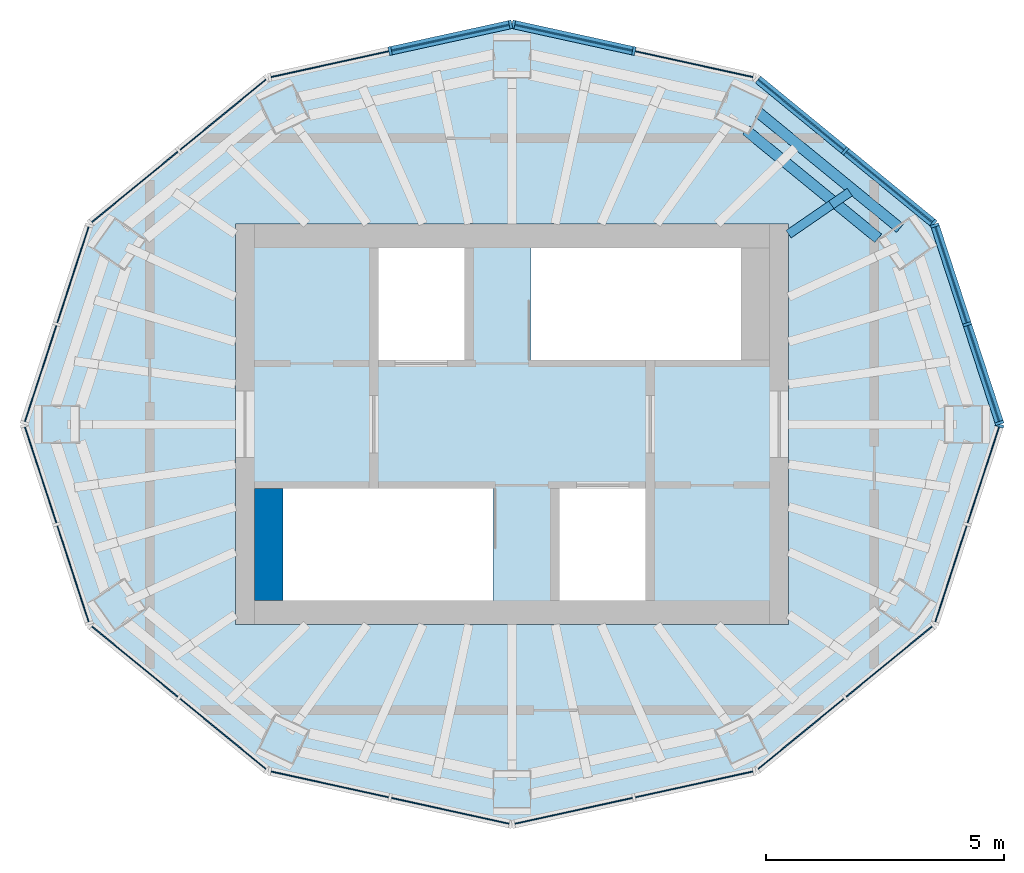
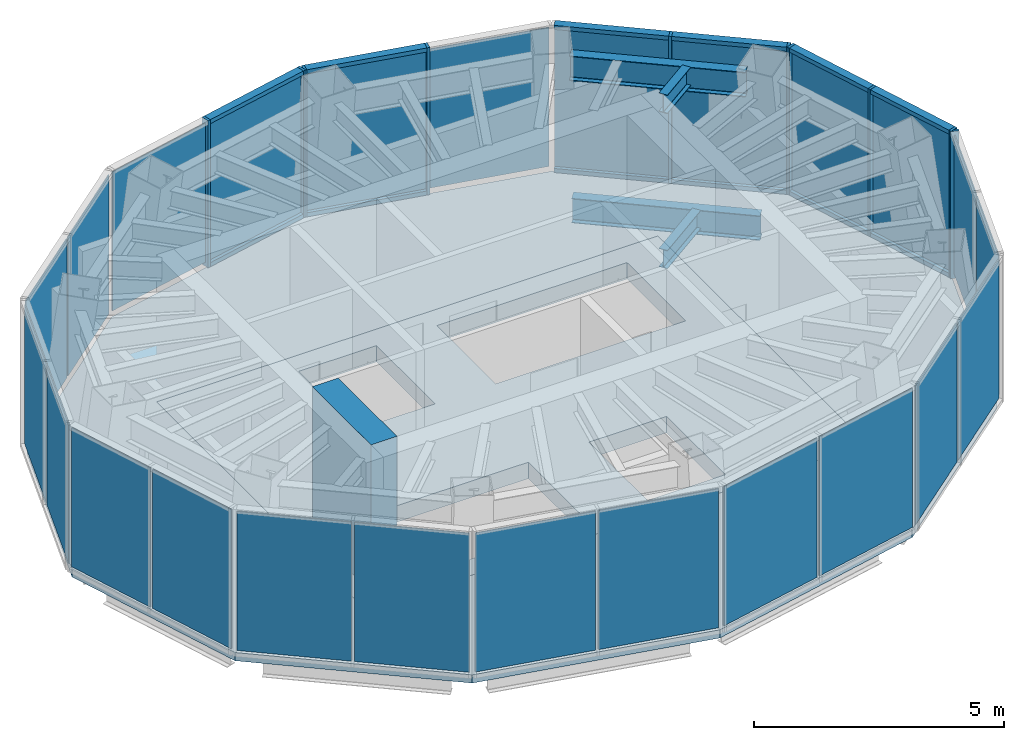
# One storey, part 4 of 6: 24 plates, 22 members, 4 beams, 2 slabs, 1 wall, 12 elements without a shape of their own.
"""IFC4 building model written with IfcOpenShell, lengths in metres."""

from ifc_helpers import new_model, si_unit, direction, frame, frame_2d, origin, origin_2d, place, context, subcontext, project, spatial, polyline, rectangle, i_section, outline, extrude, material, layer, layer_set, material_profile, profile_set, type_object, element, aggregate, save


model = new_model("IFC4")

# Units and contexts
model_context = context("Model", 3, precision=1e-05, world=origin(), true_north=direction((0.0, 1.0)))
body_context = subcontext(model_context, "Body", "Model", "MODEL_VIEW")
ifc_project = project(units=[si_unit("LENGTHUNIT", "METRE"), si_unit("AREAUNIT", "SQUARE_METRE"), si_unit("VOLUMEUNIT", "CUBIC_METRE"), si_unit("PLANEANGLEUNIT", "RADIAN"), si_unit("MASSUNIT", "GRAM", prefix="KILO")], contexts=[model_context])

# Site, building, storey
site_placement = place(None, origin())
site = spatial("IfcSite", under=ifc_project, at=site_placement, CompositionType="ELEMENT")
building_placement = place(site_placement, origin())
building = spatial("IfcBuilding", under=site, at=building_placement, Name="Siaravel Broadcast Tower", CompositionType="ELEMENT")
storey_placement = place(building_placement, frame((0.0, 0.0, 292.10009765625)))
storey = spatial("IfcBuildingStorey", under=building, at=storey_placement, Name="L71", CompositionType="ELEMENT", Elevation=292.10009765625)

# Curtain wall, members
ifc_material_1 = material(Name="Aluminium 6063-T6", Category="aluminium")
ifc_layer_1 = layer(ifc_material_1, 0.179931640625)
ifc_layer_set_1 = layer_set([ifc_layer_1], Name="Aluminium 6063-T6")
curtain_wall_type = type_object("IfcCurtainWallType", Name="Crown glass facet wall", PredefinedType="NOTDEFINED", material=ifc_layer_set_1)
curtain_wall_1_placement = place(storey_placement, origin())
curtain_wall_1 = element("IfcCurtainWall", 1, at=curtain_wall_1_placement, inside=storey, type_object=curtain_wall_type, Name="L71 Crown glass facet wall 01", PredefinedType="NOTDEFINED")
ifc_material_profile_1 = material_profile(ifc_material_1, rectangle(XDim=0.179931640625, YDim=0.06005859375, at=origin_2d()))
ifc_profile_set_1 = profile_set([ifc_material_profile_1], Name="Aluminium 6063-T6")
member_type_1 = type_object("IfcMemberType", Name="CW-CR mullion", PredefinedType="MULLION", material=ifc_profile_set_1)
member_1_placement = place(storey_placement, frame((10.222412109375, 0.028564453125, 0.0), z_axis=(0.0, 0.0, 1.0), x_axis=(-0.950459599, -0.310848114, 0.0)))
member_1 = element("IfcMember", 2, at=member_1_placement, type_object=member_type_1, Name="CW-CR mullion 1", PredefinedType="MULLION", context=body_context, shape_type="SweptSolid", body=[
    extrude(rectangle(XDim=0.179931640625, YDim=0.06005859375, at=origin_2d()), origin(), (0.0, 0.0, 1.0), 3.599853515625),
])
member_2_placement = place(storey_placement, frame((9.545166015625, 2.099365234375, 0.0), z_axis=(0.0, 0.0, 1.0), x_axis=(-0.950459599, -0.310848114, 0.0)))
member_2 = element("IfcMember", 3, at=member_2_placement, type_object=member_type_1, Name="CW-CR mullion 2", PredefinedType="MULLION", context=body_context, shape_type="SweptSolid", body=[
    extrude(rectangle(XDim=0.179931640625, YDim=0.06005859375, at=origin_2d()), origin(), (0.0, 0.0, 1.0), 3.599853515625),
])
member_3_placement = place(storey_placement, frame((8.867919921875, 4.17041015625, 0.0), z_axis=(0.0, 0.0, 1.0), x_axis=(-0.950459599, -0.310848114, 0.0)))
member_3 = element("IfcMember", 4, at=member_3_placement, type_object=member_type_1, Name="CW-CR mullion 3", PredefinedType="MULLION", context=body_context, shape_type="SweptSolid", body=[
    extrude(rectangle(XDim=0.179931640625, YDim=0.06005859375, at=origin_2d()), origin(), (0.0, 0.0, 1.0), 3.599853515625),
])

curtain_wall_2_placement = place(storey_placement, origin())
curtain_wall_2 = element("IfcCurtainWall", 5, at=curtain_wall_2_placement, inside=storey, type_object=curtain_wall_type, Name="L71 Crown glass facet wall 02", PredefinedType="NOTDEFINED")
member_4_placement = place(storey_placement, frame((8.835205078125, 4.2177734375, 0.0), z_axis=(0.0, 0.0, 1.0), x_axis=(-0.633723768, -0.773559427, 0.0)))
member_4 = element("IfcMember", 6, at=member_4_placement, type_object=member_type_1, Name="CW-CR mullion 1", PredefinedType="MULLION", context=body_context, shape_type="SweptSolid", body=[
    extrude(rectangle(XDim=0.179931640625, YDim=0.06005859375, at=origin_2d()), origin(), (0.0, 0.0, 1.0), 3.599853515625),
])
member_5_placement = place(storey_placement, frame((6.9853515625, 5.7333984375, 0.0), z_axis=(0.0, 0.0, 1.0), x_axis=(-0.633723768, -0.773559427, 0.0)))
member_5 = element("IfcMember", 7, at=member_5_placement, type_object=member_type_1, Name="CW-CR mullion 2", PredefinedType="MULLION", context=body_context, shape_type="SweptSolid", body=[
    extrude(rectangle(XDim=0.179931640625, YDim=0.06005859375, at=origin_2d()), origin(), (0.0, 0.0, 1.0), 3.599853515625),
])

curtain_wall_3_placement = place(storey_placement, origin())
curtain_wall_3 = element("IfcCurtainWall", 8, at=curtain_wall_3_placement, inside=storey, type_object=curtain_wall_type, Name="L71 Crown glass facet wall 03", PredefinedType="NOTDEFINED")
member_6_placement = place(storey_placement, frame((2.55615234375, 7.828857421875, 0.0), z_axis=(0.0, 0.0, 1.0), x_axis=(-0.214398525, -0.976746268, 0.0)))
member_6 = element("IfcMember", 9, at=member_6_placement, type_object=member_type_1, Name="CW-CR mullion 2", PredefinedType="MULLION", context=body_context, shape_type="SweptSolid", body=[
    extrude(rectangle(XDim=0.179931640625, YDim=0.06005859375, at=origin_2d()), origin(), (0.0, 0.0, 1.0), 3.599853515625),
])
member_7_placement = place(storey_placement, frame((0.029296875, 8.383544921875, 0.0), z_axis=(0.0, 0.0, 1.0), x_axis=(-0.214398525, -0.976746268, 0.0)))
member_7 = element("IfcMember", 10, at=member_7_placement, type_object=member_type_1, Name="CW-CR mullion 3", PredefinedType="MULLION", context=body_context, shape_type="SweptSolid", body=[
    extrude(rectangle(XDim=0.179931640625, YDim=0.06005859375, at=origin_2d()), origin(), (0.0, 0.0, 1.0), 3.599853515625),
])

curtain_wall_4_placement = place(storey_placement, origin())
curtain_wall_4 = element("IfcCurtainWall", 11, at=curtain_wall_4_placement, inside=storey, type_object=curtain_wall_type, Name="L71 Crown glass facet wall 04", PredefinedType="NOTDEFINED")
member_8_placement = place(storey_placement, frame((-0.029296875, 8.383544921875, 0.0), z_axis=(0.0, 0.0, 1.0), x_axis=(0.214398525, -0.976746268, 0.0)))
member_8 = element("IfcMember", 12, at=member_8_placement, type_object=member_type_1, Name="CW-CR mullion 1", PredefinedType="MULLION", context=body_context, shape_type="SweptSolid", body=[
    extrude(rectangle(XDim=0.179931640625, YDim=0.06005859375, at=origin_2d()), origin(), (0.0, 0.0, 1.0), 3.599853515625),
])
member_9_placement = place(storey_placement, frame((-2.55615234375, 7.828857421875, 0.0), z_axis=(0.0, 0.0, 1.0), x_axis=(0.214398525, -0.976746268, 0.0)))
member_9 = element("IfcMember", 13, at=member_9_placement, type_object=member_type_1, Name="CW-CR mullion 2", PredefinedType="MULLION", context=body_context, shape_type="SweptSolid", body=[
    extrude(rectangle(XDim=0.179931640625, YDim=0.06005859375, at=origin_2d()), origin(), (0.0, 0.0, 1.0), 3.599853515625),
])

# Curtain wall, member
curtain_wall_5_placement = place(storey_placement, origin())
curtain_wall_5 = element("IfcCurtainWall", 14, at=curtain_wall_5_placement, inside=storey, type_object=curtain_wall_type, Name="L71 Crown glass facet wall 12", PredefinedType="NOTDEFINED")
member_10_placement = place(storey_placement, frame((10.222412109375, -0.028564453125, 0.0), z_axis=(0.0, 0.0, 1.0), x_axis=(-0.950459599, 0.310848114, 0.0)))
member_10 = element("IfcMember", 15, at=member_10_placement, type_object=member_type_1, Name="CW-CR mullion 3", PredefinedType="MULLION", context=body_context, shape_type="SweptSolid", body=[
    extrude(rectangle(XDim=0.179931640625, YDim=0.06005859375, at=origin_2d()), origin(), (0.0, 0.0, 1.0), 3.599853515625),
])

# Member
ifc_material_profile_2 = material_profile(ifc_material_1, rectangle(XDim=0.179931640625, YDim=0.10009765625, at=origin_2d()))
ifc_profile_set_2 = profile_set([ifc_material_profile_2], Name="Aluminium 6063-T6")
member_type_2 = type_object("IfcMemberType", Name="CW-CR transom", PredefinedType="USERDEFINED", material=ifc_profile_set_2)
member_11_placement = place(storey_placement, frame((10.212890625, 0.056884765625, 0.0498046875), z_axis=(-0.310760877, 0.950488126, 0.0), x_axis=(-0.950488126, -0.310760877, 0.0)))
member_11 = element("IfcMember", 16, at=member_11_placement, type_object=member_type_2, Name="CW-CR transom 1", ObjectType="TRANSOM", PredefinedType="USERDEFINED", context=body_context, shape_type="SweptSolid", body=[
    extrude(rectangle(XDim=0.179931640625, YDim=0.10009765625, at=origin_2d()), origin(), (0.0, 0.0, 1.0), 2.118896484375),
])

member_12_placement = place(storey_placement, frame((10.212890625, 0.056884765625, 3.5498046875), z_axis=(-0.310760877, 0.950488126, 0.0), x_axis=(-0.950488126, -0.310760877, 0.0)))
member_12 = element("IfcMember", 17, at=member_12_placement, type_object=member_type_2, Name="CW-CR transom 1", ObjectType="TRANSOM", PredefinedType="USERDEFINED", context=body_context, shape_type="SweptSolid", body=[
    extrude(rectangle(XDim=0.179931640625, YDim=0.10009765625, at=origin_2d()), origin(), (0.0, 0.0, 1.0), 2.118896484375),
])

member_13_placement = place(storey_placement, frame((9.535888671875, 2.1279296875, 0.0498046875), z_axis=(-0.310864969, 0.950454087, 0.0), x_axis=(-0.950454087, -0.310864969, 0.0)))
member_13 = element("IfcMember", 18, at=member_13_placement, type_object=member_type_2, Name="CW-CR transom 2", ObjectType="TRANSOM", PredefinedType="USERDEFINED", context=body_context, shape_type="SweptSolid", body=[
    extrude(rectangle(XDim=0.179931640625, YDim=0.10009765625, at=origin_2d()), origin(), (0.0, 0.0, 1.0), 2.118896484375),
])

member_14_placement = place(storey_placement, frame((9.535888671875, 2.1279296875, 3.5498046875), z_axis=(-0.310864969, 0.950454087, 0.0), x_axis=(-0.950454087, -0.310864969, 0.0)))
member_14 = element("IfcMember", 19, at=member_14_placement, type_object=member_type_2, Name="CW-CR transom 2", ObjectType="TRANSOM", PredefinedType="USERDEFINED", context=body_context, shape_type="SweptSolid", body=[
    extrude(rectangle(XDim=0.179931640625, YDim=0.10009765625, at=origin_2d()), origin(), (0.0, 0.0, 1.0), 2.118896484375),
])

member_15_placement = place(storey_placement, frame((8.81201171875, 4.23681640625, 0.0498046875), z_axis=(-0.773541895, 0.633745167, 0.0), x_axis=(-0.633745167, -0.773541895, 0.0)))
member_15 = element("IfcMember", 20, at=member_15_placement, type_object=member_type_2, Name="CW-CR transom 1", ObjectType="TRANSOM", PredefinedType="USERDEFINED", context=body_context, shape_type="SweptSolid", body=[
    extrude(rectangle(XDim=0.179931640625, YDim=0.10009765625, at=origin_2d()), origin(), (0.0, 0.0, 1.0), 2.33154296875),
])

member_16_placement = place(storey_placement, frame((8.81201171875, 4.23681640625, 3.5498046875), z_axis=(-0.773541895, 0.633745167, 0.0), x_axis=(-0.633745167, -0.773541895, 0.0)))
member_16 = element("IfcMember", 21, at=member_16_placement, type_object=member_type_2, Name="CW-CR transom 1", ObjectType="TRANSOM", PredefinedType="USERDEFINED", context=body_context, shape_type="SweptSolid", body=[
    extrude(rectangle(XDim=0.179931640625, YDim=0.10009765625, at=origin_2d()), origin(), (0.0, 0.0, 1.0), 2.33154296875),
])

member_17_placement = place(storey_placement, frame((6.962158203125, 5.752197265625, 0.0498046875), z_axis=(-0.773541895, 0.633745167, 0.0), x_axis=(-0.633745167, -0.773541895, 0.0)))
member_17 = element("IfcMember", 22, at=member_17_placement, type_object=member_type_2, Name="CW-CR transom 2", ObjectType="TRANSOM", PredefinedType="USERDEFINED", context=body_context, shape_type="SweptSolid", body=[
    extrude(rectangle(XDim=0.179931640625, YDim=0.10009765625, at=origin_2d()), origin(), (0.0, 0.0, 1.0), 2.33154296875),
])

member_18_placement = place(storey_placement, frame((6.962158203125, 5.752197265625, 3.5498046875), z_axis=(-0.773541895, 0.633745167, 0.0), x_axis=(-0.633745167, -0.773541895, 0.0)))
member_18 = element("IfcMember", 23, at=member_18_placement, type_object=member_type_2, Name="CW-CR transom 2", ObjectType="TRANSOM", PredefinedType="USERDEFINED", context=body_context, shape_type="SweptSolid", body=[
    extrude(rectangle(XDim=0.179931640625, YDim=0.10009765625, at=origin_2d()), origin(), (0.0, 0.0, 1.0), 2.33154296875),
])

member_19_placement = place(storey_placement, frame((2.52685546875, 7.83544921875, 0.0498046875), z_axis=(-0.976749771, 0.214382566, 0.0), x_axis=(-0.214382566, -0.976749771, 0.0)))
member_19 = element("IfcMember", 24, at=member_19_placement, type_object=member_type_2, Name="CW-CR transom 2", ObjectType="TRANSOM", PredefinedType="USERDEFINED", context=body_context, shape_type="SweptSolid", body=[
    extrude(rectangle(XDim=0.179931640625, YDim=0.10009765625, at=origin_2d()), origin(), (0.0, 0.0, 1.0), 2.527099609375),
])

member_20_placement = place(storey_placement, frame((2.52685546875, 7.83544921875, 3.5498046875), z_axis=(-0.976749771, 0.214382566, 0.0), x_axis=(-0.214382566, -0.976749771, 0.0)))
member_20 = element("IfcMember", 25, at=member_20_placement, type_object=member_type_2, Name="CW-CR transom 2", ObjectType="TRANSOM", PredefinedType="USERDEFINED", context=body_context, shape_type="SweptSolid", body=[
    extrude(rectangle(XDim=0.179931640625, YDim=0.10009765625, at=origin_2d()), origin(), (0.0, 0.0, 1.0), 2.527099609375),
])

member_21_placement = place(storey_placement, frame((-0.05859375, 8.377197265625, 0.0498046875), z_axis=(-0.976749771, -0.214382566, 0.0), x_axis=(0.214382566, -0.976749771, 0.0)))
member_21 = element("IfcMember", 26, at=member_21_placement, type_object=member_type_2, Name="CW-CR transom 1", ObjectType="TRANSOM", PredefinedType="USERDEFINED", context=body_context, shape_type="SweptSolid", body=[
    extrude(rectangle(XDim=0.179931640625, YDim=0.10009765625, at=origin_2d()), origin(), (0.0, 0.0, 1.0), 2.527099609375),
])

member_22_placement = place(storey_placement, frame((-0.05859375, 8.377197265625, 3.5498046875), z_axis=(-0.976749771, -0.214382566, 0.0), x_axis=(0.214382566, -0.976749771, 0.0)))
member_22 = element("IfcMember", 27, at=member_22_placement, type_object=member_type_2, Name="CW-CR transom 1", ObjectType="TRANSOM", PredefinedType="USERDEFINED", context=body_context, shape_type="SweptSolid", body=[
    extrude(rectangle(XDim=0.179931640625, YDim=0.10009765625, at=origin_2d()), origin(), (0.0, 0.0, 1.0), 2.527099609375),
])

# Beams
ifc_material_2 = material(Name="Steel S355", Category="steel")
ifc_material_profile_3 = material_profile(ifc_material_2, i_section(OverallWidth=0.18994140625, OverallDepth=0.453369140625, WebThickness=0.008544921875, FlangeThickness=0.0126953125, FilletRadius=0.01025390625, at=origin_2d()))
ifc_profile_set_3 = profile_set([ifc_material_profile_3], Name="Steel S355")
beam_type_1 = type_object("IfcBeamType", Name="Crown radial beam UB 457x191x67", PredefinedType="BEAM", material=ifc_profile_set_3)
beam_1_placement = place(storey_placement, frame((7.0830078125, 4.8681640625, -0.4267578125), z_axis=(-0.824101404, -0.566442297, 0.0), x_axis=(0.566442297, -0.824101404, 0.0)))
element("IfcBeam", 28, at=beam_1_placement, inside=storey, type_object=beam_type_1, Name="Crown radial beam 6-05", PredefinedType="BEAM", context=body_context, shape_type="SweptSolid", body=[
    extrude(i_section(OverallWidth=0.18994140625, OverallDepth=0.453369140625, WebThickness=0.008544921875, FlangeThickness=0.0126953125, FilletRadius=0.01025390625, at=origin_2d()), origin(), (0.0, 0.0, 1.0), 1.556884765625),
])
beam_2_placement = place(storey_placement, frame((6.6953125, 4.601806640625, 3.373291015625), z_axis=(-0.824153388, -0.566366659, 0.0), x_axis=(0.566366659, -0.824153388, 0.0)))
element("IfcBeam", 29, at=beam_2_placement, inside=storey, type_object=beam_type_1, Name="Crown radial beam 7-05", PredefinedType="BEAM", context=body_context, shape_type="SweptSolid", body=[
    extrude(i_section(OverallWidth=0.18994140625, OverallDepth=0.453369140625, WebThickness=0.008544921875, FlangeThickness=0.0126953125, FilletRadius=0.01025390625, at=origin_2d()), origin(), (0.0, 0.0, 1.0), 1.086181640625),
])
ifc_material_profile_4 = material_profile(ifc_material_2, i_section(OverallWidth=0.2275390625, OverallDepth=0.6025390625, WebThickness=0.010498046875, FlangeThickness=0.014892578125, FilletRadius=0.0126953125, at=origin_2d()))
ifc_profile_set_4 = profile_set([ifc_material_profile_4], Name="Steel S355")
beam_type_2 = type_object("IfcBeamType", Name="Crown ring beam UB 610x229x101", PredefinedType="SPANDREL", material=ifc_profile_set_4)
beam_3_placement = place(storey_placement, frame((8.135986328125, 4.111083984375, -0.50146484375), z_axis=(-0.774119321, 0.633039712, 0.0), x_axis=(-0.633039712, -0.774119321, 0.0)))
element("IfcBeam", 30, at=beam_3_placement, inside=storey, type_object=beam_type_2, Name="Crown ring beam 6-02", PredefinedType="SPANDREL", context=body_context, shape_type="SweptSolid", body=[
    extrude(i_section(OverallWidth=0.2275390625, OverallDepth=0.6025390625, WebThickness=0.010498046875, FlangeThickness=0.014892578125, FilletRadius=0.0126953125, at=origin_2d()), origin(), (0.0, 0.0, 1.0), 3.826171875),
])
beam_4_placement = place(storey_placement, frame((7.6796875, 3.90087890625, 3.298583984375), z_axis=(-0.77411532, 0.633044604, 0.0), x_axis=(-0.633044604, -0.77411532, 0.0)))
element("IfcBeam", 31, at=beam_4_placement, inside=storey, type_object=beam_type_2, Name="Crown ring beam 7-02", PredefinedType="SPANDREL", context=body_context, shape_type="SweptSolid", body=[
    extrude(i_section(OverallWidth=0.2275390625, OverallDepth=0.6025390625, WebThickness=0.010498046875, FlangeThickness=0.014892578125, FilletRadius=0.0126953125, at=origin_2d()), origin(), (0.0, 0.0, 1.0), 3.578857421875),
])

# Plate
ifc_material_3 = material(Name="Low-iron laminated glass", Category="glass")
ifc_layer_2 = layer(ifc_material_3, 0.02392578125)
ifc_layer_set_2 = layer_set([ifc_layer_2], Name="Low-iron laminated glass")
plate_type = type_object("IfcPlateType", Name="CW-CR glass panel", PredefinedType="CURTAIN_PANEL", material=ifc_layer_set_2)
plate_1_placement = place(storey_placement, frame((9.8837890625, 1.06396484375, 0.099853515625), z_axis=(0.0, 0.0, 1.0), x_axis=(-0.310848114, 0.950459599, 0.0)))
plate_1 = element("IfcPlate", 32, at=plate_1_placement, type_object=plate_type, Name="CW-CR glass panel", PredefinedType="CURTAIN_PANEL", context=body_context, shape_type="SweptSolid", body=[
    extrude(rectangle(XDim=2.118896484375, YDim=0.02392578125, at=origin_2d()), origin(), (0.0, 0.0, 1.0), 3.39990234375),
])

plate_2_placement = place(storey_placement, frame((9.206298828125, 3.134765625, 0.099853515625), z_axis=(0.0, 0.0, 1.0), x_axis=(-0.310848114, 0.950459599, 0.0)))
plate_2 = element("IfcPlate", 33, at=plate_2_placement, type_object=plate_type, Name="CW-CR glass panel", PredefinedType="CURTAIN_PANEL", context=body_context, shape_type="SweptSolid", body=[
    extrude(rectangle(XDim=2.118896484375, YDim=0.02392578125, at=origin_2d()), origin(), (0.0, 0.0, 1.0), 3.39990234375),
])

aggregate(curtain_wall_1, [member_1, member_2, member_3, member_11, member_12, plate_1, member_13, member_14, plate_2])

plate_3_placement = place(storey_placement, frame((7.910400390625, 4.9755859375, 0.099853515625), z_axis=(0.0, 0.0, 1.0), x_axis=(-0.773559427, 0.633723768, 0.0)))
plate_3 = element("IfcPlate", 34, at=plate_3_placement, type_object=plate_type, Name="CW-CR glass panel", PredefinedType="CURTAIN_PANEL", context=body_context, shape_type="SweptSolid", body=[
    extrude(rectangle(XDim=2.331298828125, YDim=0.02392578125, at=origin_2d()), origin(), (0.0, 0.0, 1.0), 3.39990234375),
])

plate_4_placement = place(storey_placement, frame((6.060302734375, 6.4912109375, 0.099853515625), z_axis=(0.0, 0.0, 1.0), x_axis=(-0.773559427, 0.633723768, 0.0)))
plate_4 = element("IfcPlate", 35, at=plate_4_placement, type_object=plate_type, Name="CW-CR glass panel", PredefinedType="CURTAIN_PANEL", context=body_context, shape_type="SweptSolid", body=[
    extrude(rectangle(XDim=2.331298828125, YDim=0.02392578125, at=origin_2d()), origin(), (0.0, 0.0, 1.0), 3.39990234375),
])

aggregate(curtain_wall_2, [member_4, member_5, member_15, member_16, plate_3, member_17, member_18, plate_4])

plate_5_placement = place(storey_placement, frame((3.819580078125, 7.551513671875, 0.099853515625), z_axis=(0.0, 0.0, 1.0), x_axis=(-0.976746268, 0.214398525, 0.0)))
plate_5 = element("IfcPlate", 36, at=plate_5_placement, type_object=plate_type, Name="CW-CR glass panel", PredefinedType="CURTAIN_PANEL", context=body_context, shape_type="SweptSolid", body=[
    extrude(rectangle(XDim=2.527099609375, YDim=0.02392578125, at=origin_2d()), origin(), (0.0, 0.0, 1.0), 3.39990234375),
])

plate_6_placement = place(storey_placement, frame((1.292724609375, 8.106201171875, 0.099853515625), z_axis=(0.0, 0.0, 1.0), x_axis=(-0.976746268, 0.214398525, 0.0)))
plate_6 = element("IfcPlate", 37, at=plate_6_placement, type_object=plate_type, Name="CW-CR glass panel", PredefinedType="CURTAIN_PANEL", context=body_context, shape_type="SweptSolid", body=[
    extrude(rectangle(XDim=2.527099609375, YDim=0.02392578125, at=origin_2d()), origin(), (0.0, 0.0, 1.0), 3.39990234375),
])

aggregate(curtain_wall_3, [member_6, member_7, plate_5, member_19, member_20, plate_6])

plate_7_placement = place(storey_placement, frame((-1.292724609375, 8.106201171875, 0.099853515625), z_axis=(0.0, 0.0, 1.0), x_axis=(-0.976746268, -0.214398525, 0.0)))
plate_7 = element("IfcPlate", 38, at=plate_7_placement, type_object=plate_type, Name="CW-CR glass panel", PredefinedType="CURTAIN_PANEL", context=body_context, shape_type="SweptSolid", body=[
    extrude(rectangle(XDim=2.527099609375, YDim=0.02392578125, at=origin_2d()), origin(), (0.0, 0.0, 1.0), 3.39990234375),
])

plate_8_placement = place(storey_placement, frame((-3.819580078125, 7.551513671875, 0.099853515625), z_axis=(0.0, 0.0, 1.0), x_axis=(-0.976746268, -0.214398525, 0.0)))
plate_8 = element("IfcPlate", 39, at=plate_8_placement, type_object=plate_type, Name="CW-CR glass panel", PredefinedType="CURTAIN_PANEL", context=body_context, shape_type="SweptSolid", body=[
    extrude(rectangle(XDim=2.527099609375, YDim=0.02392578125, at=origin_2d()), origin(), (0.0, 0.0, 1.0), 3.39990234375),
])

aggregate(curtain_wall_4, [member_8, member_9, member_21, member_22, plate_7, plate_8])

# Curtain wall, plates
curtain_wall_6_placement = place(storey_placement, origin())
curtain_wall_6 = element("IfcCurtainWall", 40, at=curtain_wall_6_placement, inside=storey, type_object=curtain_wall_type, Name="L71 Crown glass facet wall 05", PredefinedType="NOTDEFINED")
plate_9_placement = place(storey_placement, frame((-6.060302734375, 6.4912109375, 0.099853515625), z_axis=(0.0, 0.0, 1.0), x_axis=(-0.773559427, -0.633723768, 0.0)))
plate_9 = element("IfcPlate", 41, at=plate_9_placement, type_object=plate_type, Name="CW-CR glass panel", PredefinedType="CURTAIN_PANEL", context=body_context, shape_type="SweptSolid", body=[
    extrude(rectangle(XDim=2.331298828125, YDim=0.02392578125, at=origin_2d()), origin(), (0.0, 0.0, 1.0), 3.39990234375),
])
plate_10_placement = place(storey_placement, frame((-7.910400390625, 4.9755859375, 0.099853515625), z_axis=(0.0, 0.0, 1.0), x_axis=(-0.773559427, -0.633723768, 0.0)))
plate_10 = element("IfcPlate", 42, at=plate_10_placement, type_object=plate_type, Name="CW-CR glass panel", PredefinedType="CURTAIN_PANEL", context=body_context, shape_type="SweptSolid", body=[
    extrude(rectangle(XDim=2.331298828125, YDim=0.02392578125, at=origin_2d()), origin(), (0.0, 0.0, 1.0), 3.39990234375),
])
aggregate(curtain_wall_6, [plate_9, plate_10])

curtain_wall_7_placement = place(storey_placement, origin())
curtain_wall_7 = element("IfcCurtainWall", 43, at=curtain_wall_7_placement, inside=storey, type_object=curtain_wall_type, Name="L71 Crown glass facet wall 06", PredefinedType="NOTDEFINED")
plate_11_placement = place(storey_placement, frame((-9.206298828125, 3.134765625, 0.099853515625), z_axis=(0.0, 0.0, 1.0), x_axis=(-0.310848114, -0.950459599, 0.0)))
plate_11 = element("IfcPlate", 44, at=plate_11_placement, type_object=plate_type, Name="CW-CR glass panel", PredefinedType="CURTAIN_PANEL", context=body_context, shape_type="SweptSolid", body=[
    extrude(rectangle(XDim=2.118896484375, YDim=0.02392578125, at=origin_2d()), origin(), (0.0, 0.0, 1.0), 3.39990234375),
])
plate_12_placement = place(storey_placement, frame((-9.8837890625, 1.06396484375, 0.099853515625), z_axis=(0.0, 0.0, 1.0), x_axis=(-0.310848114, -0.950459599, 0.0)))
plate_12 = element("IfcPlate", 45, at=plate_12_placement, type_object=plate_type, Name="CW-CR glass panel", PredefinedType="CURTAIN_PANEL", context=body_context, shape_type="SweptSolid", body=[
    extrude(rectangle(XDim=2.118896484375, YDim=0.02392578125, at=origin_2d()), origin(), (0.0, 0.0, 1.0), 3.39990234375),
])
aggregate(curtain_wall_7, [plate_11, plate_12])

curtain_wall_8_placement = place(storey_placement, origin())
curtain_wall_8 = element("IfcCurtainWall", 46, at=curtain_wall_8_placement, inside=storey, type_object=curtain_wall_type, Name="L71 Crown glass facet wall 07", PredefinedType="NOTDEFINED")
plate_13_placement = place(storey_placement, frame((-9.8837890625, -1.06396484375, 0.099853515625), z_axis=(0.0, 0.0, 1.0), x_axis=(0.310848114, -0.950459599, 0.0)))
plate_13 = element("IfcPlate", 47, at=plate_13_placement, type_object=plate_type, Name="CW-CR glass panel", PredefinedType="CURTAIN_PANEL", context=body_context, shape_type="SweptSolid", body=[
    extrude(rectangle(XDim=2.118896484375, YDim=0.02392578125, at=origin_2d()), origin(), (0.0, 0.0, 1.0), 3.39990234375),
])
plate_14_placement = place(storey_placement, frame((-9.206298828125, -3.134765625, 0.099853515625), z_axis=(0.0, 0.0, 1.0), x_axis=(0.310848114, -0.950459599, 0.0)))
plate_14 = element("IfcPlate", 48, at=plate_14_placement, type_object=plate_type, Name="CW-CR glass panel", PredefinedType="CURTAIN_PANEL", context=body_context, shape_type="SweptSolid", body=[
    extrude(rectangle(XDim=2.118896484375, YDim=0.02392578125, at=origin_2d()), origin(), (0.0, 0.0, 1.0), 3.39990234375),
])
aggregate(curtain_wall_8, [plate_13, plate_14])

curtain_wall_9_placement = place(storey_placement, origin())
curtain_wall_9 = element("IfcCurtainWall", 49, at=curtain_wall_9_placement, inside=storey, type_object=curtain_wall_type, Name="L71 Crown glass facet wall 08", PredefinedType="NOTDEFINED")
plate_15_placement = place(storey_placement, frame((-7.910400390625, -4.9755859375, 0.099853515625), z_axis=(0.0, 0.0, 1.0), x_axis=(0.773559427, -0.633723768, 0.0)))
plate_15 = element("IfcPlate", 50, at=plate_15_placement, type_object=plate_type, Name="CW-CR glass panel", PredefinedType="CURTAIN_PANEL", context=body_context, shape_type="SweptSolid", body=[
    extrude(rectangle(XDim=2.331298828125, YDim=0.02392578125, at=origin_2d()), origin(), (0.0, 0.0, 1.0), 3.39990234375),
])
plate_16_placement = place(storey_placement, frame((-6.060302734375, -6.4912109375, 0.099853515625), z_axis=(0.0, 0.0, 1.0), x_axis=(0.773559427, -0.633723768, 0.0)))
plate_16 = element("IfcPlate", 51, at=plate_16_placement, type_object=plate_type, Name="CW-CR glass panel", PredefinedType="CURTAIN_PANEL", context=body_context, shape_type="SweptSolid", body=[
    extrude(rectangle(XDim=2.331298828125, YDim=0.02392578125, at=origin_2d()), origin(), (0.0, 0.0, 1.0), 3.39990234375),
])
aggregate(curtain_wall_9, [plate_15, plate_16])

curtain_wall_10_placement = place(storey_placement, origin())
curtain_wall_10 = element("IfcCurtainWall", 52, at=curtain_wall_10_placement, inside=storey, type_object=curtain_wall_type, Name="L71 Crown glass facet wall 09", PredefinedType="NOTDEFINED")
plate_17_placement = place(storey_placement, frame((-3.819580078125, -7.551513671875, 0.099853515625), z_axis=(0.0, 0.0, 1.0), x_axis=(0.976746268, -0.214398525, 0.0)))
plate_17 = element("IfcPlate", 53, at=plate_17_placement, type_object=plate_type, Name="CW-CR glass panel", PredefinedType="CURTAIN_PANEL", context=body_context, shape_type="SweptSolid", body=[
    extrude(rectangle(XDim=2.527099609375, YDim=0.02392578125, at=origin_2d()), origin(), (0.0, 0.0, 1.0), 3.39990234375),
])
plate_18_placement = place(storey_placement, frame((-1.292724609375, -8.106201171875, 0.099853515625), z_axis=(0.0, 0.0, 1.0), x_axis=(0.976746268, -0.214398525, 0.0)))
plate_18 = element("IfcPlate", 54, at=plate_18_placement, type_object=plate_type, Name="CW-CR glass panel", PredefinedType="CURTAIN_PANEL", context=body_context, shape_type="SweptSolid", body=[
    extrude(rectangle(XDim=2.527099609375, YDim=0.02392578125, at=origin_2d()), origin(), (0.0, 0.0, 1.0), 3.39990234375),
])
aggregate(curtain_wall_10, [plate_17, plate_18])

curtain_wall_11_placement = place(storey_placement, origin())
curtain_wall_11 = element("IfcCurtainWall", 55, at=curtain_wall_11_placement, inside=storey, type_object=curtain_wall_type, Name="L71 Crown glass facet wall 10", PredefinedType="NOTDEFINED")
plate_19_placement = place(storey_placement, frame((1.292724609375, -8.106201171875, 0.099853515625), z_axis=(0.0, 0.0, 1.0), x_axis=(0.976746268, 0.214398525, 0.0)))
plate_19 = element("IfcPlate", 56, at=plate_19_placement, type_object=plate_type, Name="CW-CR glass panel", PredefinedType="CURTAIN_PANEL", context=body_context, shape_type="SweptSolid", body=[
    extrude(rectangle(XDim=2.527099609375, YDim=0.02392578125, at=origin_2d()), origin(), (0.0, 0.0, 1.0), 3.39990234375),
])
plate_20_placement = place(storey_placement, frame((3.819580078125, -7.551513671875, 0.099853515625), z_axis=(0.0, 0.0, 1.0), x_axis=(0.976746268, 0.214398525, 0.0)))
plate_20 = element("IfcPlate", 57, at=plate_20_placement, type_object=plate_type, Name="CW-CR glass panel", PredefinedType="CURTAIN_PANEL", context=body_context, shape_type="SweptSolid", body=[
    extrude(rectangle(XDim=2.527099609375, YDim=0.02392578125, at=origin_2d()), origin(), (0.0, 0.0, 1.0), 3.39990234375),
])
aggregate(curtain_wall_11, [plate_19, plate_20])

curtain_wall_12_placement = place(storey_placement, origin())
curtain_wall_12 = element("IfcCurtainWall", 58, at=curtain_wall_12_placement, inside=storey, type_object=curtain_wall_type, Name="L71 Crown glass facet wall 11", PredefinedType="NOTDEFINED")
plate_21_placement = place(storey_placement, frame((6.060302734375, -6.4912109375, 0.099853515625), z_axis=(0.0, 0.0, 1.0), x_axis=(0.773559427, 0.633723768, 0.0)))
plate_21 = element("IfcPlate", 59, at=plate_21_placement, type_object=plate_type, Name="CW-CR glass panel", PredefinedType="CURTAIN_PANEL", context=body_context, shape_type="SweptSolid", body=[
    extrude(rectangle(XDim=2.331298828125, YDim=0.02392578125, at=origin_2d()), origin(), (0.0, 0.0, 1.0), 3.39990234375),
])
plate_22_placement = place(storey_placement, frame((7.910400390625, -4.9755859375, 0.099853515625), z_axis=(0.0, 0.0, 1.0), x_axis=(0.773559427, 0.633723768, 0.0)))
plate_22 = element("IfcPlate", 60, at=plate_22_placement, type_object=plate_type, Name="CW-CR glass panel", PredefinedType="CURTAIN_PANEL", context=body_context, shape_type="SweptSolid", body=[
    extrude(rectangle(XDim=2.331298828125, YDim=0.02392578125, at=origin_2d()), origin(), (0.0, 0.0, 1.0), 3.39990234375),
])
aggregate(curtain_wall_12, [plate_21, plate_22])

# Plate
plate_23_placement = place(storey_placement, frame((9.206298828125, -3.134765625, 0.099853515625), z_axis=(0.0, 0.0, 1.0), x_axis=(0.310848114, 0.950459599, 0.0)))
plate_23 = element("IfcPlate", 61, at=plate_23_placement, type_object=plate_type, Name="CW-CR glass panel", PredefinedType="CURTAIN_PANEL", context=body_context, shape_type="SweptSolid", body=[
    extrude(rectangle(XDim=2.118896484375, YDim=0.02392578125, at=origin_2d()), origin(), (0.0, 0.0, 1.0), 3.39990234375),
])

plate_24_placement = place(storey_placement, frame((9.8837890625, -1.06396484375, 0.099853515625), z_axis=(0.0, 0.0, 1.0), x_axis=(0.310848114, 0.950459599, 0.0)))
plate_24 = element("IfcPlate", 62, at=plate_24_placement, type_object=plate_type, Name="CW-CR glass panel", PredefinedType="CURTAIN_PANEL", context=body_context, shape_type="SweptSolid", body=[
    extrude(rectangle(XDim=2.118896484375, YDim=0.02392578125, at=origin_2d()), origin(), (0.0, 0.0, 1.0), 3.39990234375),
])

aggregate(curtain_wall_5, [member_10, plate_23, plate_24])

# Slabs
ifc_material_4 = material(Name="Concrete C40/50", Category="concrete")
ifc_layer_3 = layer(ifc_material_4, 0.39990234375)
ifc_layer_set_3 = layer_set([ifc_layer_3], Name="Concrete C40/50")
slab_type_1 = type_object("IfcSlabType", Name="Core floor slab 400", PredefinedType="FLOOR", material=ifc_layer_set_3)
slab_1_placement = place(storey_placement, frame((0.0, 0.0, -0.400146484375)))
element("IfcSlab", 63, at=slab_1_placement, inside=storey, type_object=slab_type_1, Name="L71 core floor", PredefinedType="FLOOR", context=body_context, shape_type="SweptSolid", body=[
    extrude(outline(polyline([(-5.800048828125, -4.199951171875), (-5.800048828125, 4.199951171875), (5.800048828125, 4.199951171875), (5.800048828125, -4.199951171875), (-5.800048828125, -4.199951171875)]), holes=[polyline([(0.400390625, 3.699462890625), (0.400390625, 1.3505859375), (4.799560546875, 1.3505859375), (4.799560546875, 3.699462890625), (0.400390625, 3.699462890625)]), polyline([(1.0, -3.699951171875), (2.800048828125, -3.699951171875), (2.800048828125, -1.35009765625), (1.0, -1.35009765625), (1.0, -3.699951171875)]), polyline([(-0.400390625, -3.699462890625), (-0.400390625, -1.3505859375), (-4.799560546875, -1.3505859375), (-4.799560546875, -3.699462890625), (-0.400390625, -3.699462890625)]), polyline([(-2.800048828125, 1.35009765625), (-1.0, 1.35009765625), (-1.0, 3.699951171875), (-2.800048828125, 3.699951171875), (-2.800048828125, 1.35009765625)])]), origin(), (0.0, 0.0, 1.0), 0.400146484375),
])
ifc_layer_4 = layer(ifc_material_4, 0.199951171875)
ifc_layer_set_4 = layer_set([ifc_layer_4], Name="Concrete C40/50")
slab_type_2 = type_object("IfcSlabType", Name="SLB-FLOOR-200", PredefinedType="FLOOR", material=ifc_layer_set_4)
slab_2_placement = place(storey_placement, frame((0.0, 0.0, -0.2001953125)))
element("IfcSlab", 64, at=slab_2_placement, inside=storey, type_object=slab_type_2, Name="Floor slab", PredefinedType="FLOOR", context=body_context, shape_type="SweptSolid", body=[
    extrude(outline(polyline([(10.181640625, 0.0), (8.817626953125, 4.169921875), (5.0908203125, 7.22265625), (0.0, 8.340087890625), (-5.0908203125, 7.22265625), (-8.817626953125, 4.169921875), (-10.181640625, 0.0), (-8.817626953125, -4.169921875), (-5.0908203125, -7.22265625), (0.0, -8.340087890625), (5.0908203125, -7.22265625), (8.817626953125, -4.169921875), (10.181640625, 0.0)]), holes=[polyline([(-5.800048828125, 4.199951171875), (5.800048828125, 4.199951171875), (5.800048828125, -4.199951171875), (-5.800048828125, -4.199951171875), (-5.800048828125, 4.199951171875)])]), origin(), (0.0, 0.0, 1.0), 0.2001953125),
])

# Wall
ifc_material_5 = material(Name="Concrete C60/75", Category="concrete")
ifc_layer_5 = layer(ifc_material_5, 0.60009765625)
ifc_layer_set_5 = layer_set([ifc_layer_5], Name="Concrete C60/75")
wall_type = type_object("IfcWallType", Name="Shaft wall 600", PredefinedType="SHEAR", material=ifc_layer_set_5)
wall_placement = place(storey_placement, frame((-5.10009765625, -3.699951171875, 0.0), z_axis=(0.0, 0.0, 1.0), x_axis=(0.0, 1.0, 0.0)))
element("IfcWall", 65, at=wall_placement, inside=storey, type_object=wall_type, Name="L71 core wall STCW", PredefinedType="SHEAR", context=body_context, shape_type="SweptSolid", body=[
    extrude(rectangle(XDim=2.349853515625, YDim=0.60009765625, at=frame_2d((1.1748046875, 0.0))), origin(), (0.0, 0.0, 1.0), 3.599853515625),
])

save(model, "model.ifc")
